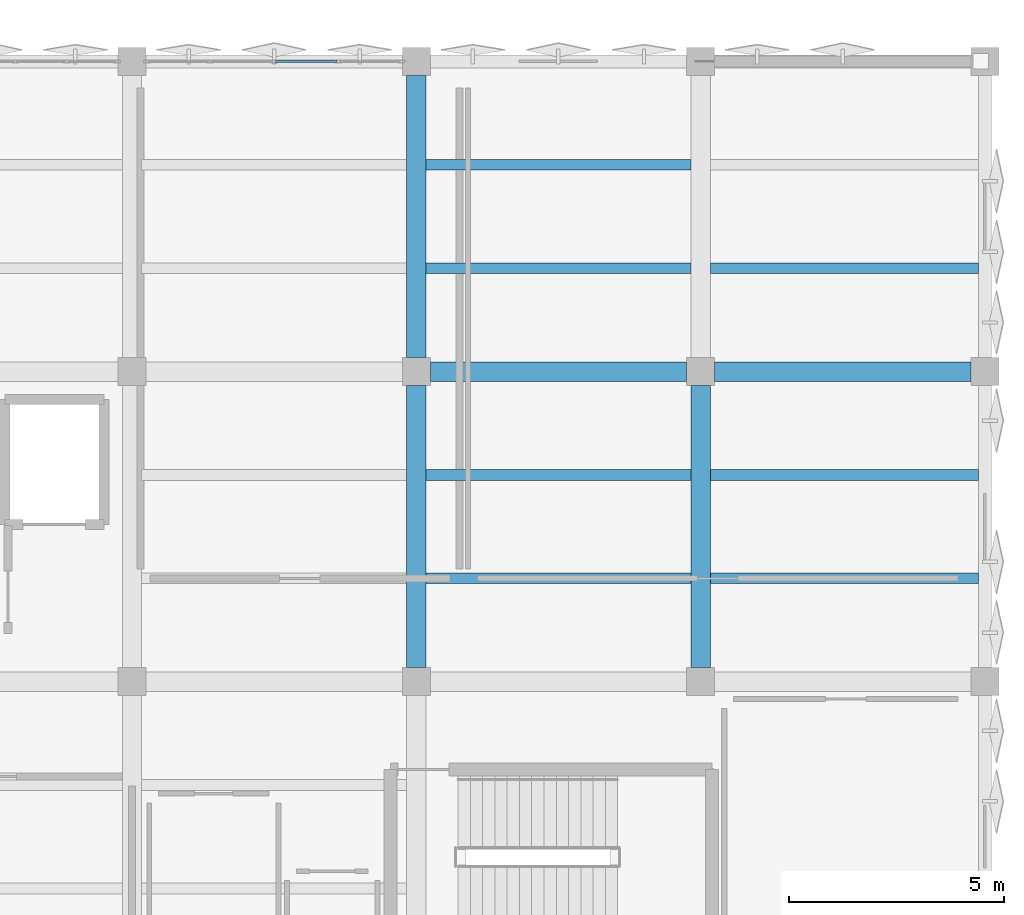
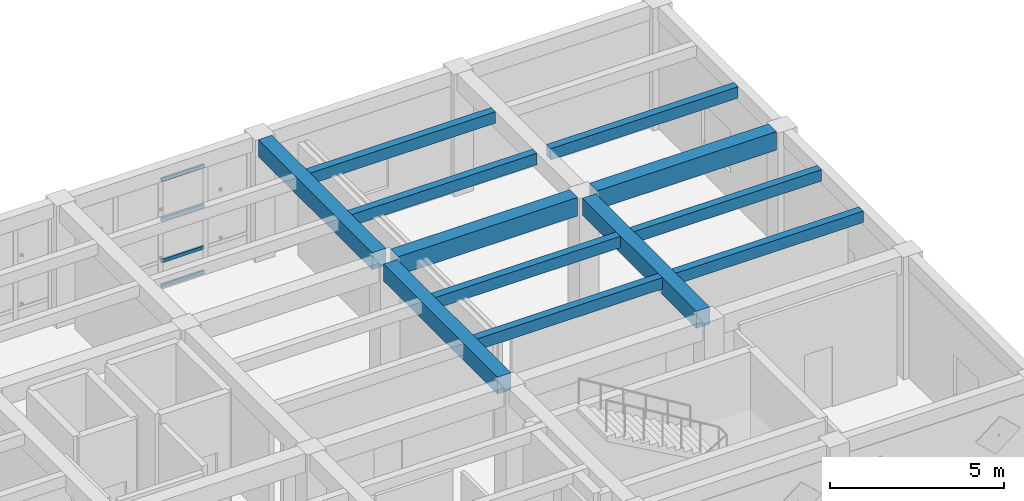
# One storey, part 24 of 48: 12 beams, 4 members, 1 element without a shape of its own.
"""IFC4 building model written with IfcOpenShell, lengths in metres."""

from ifc_helpers import new_model, si_unit, direction, frame, origin, origin_2d, place, context, subcontext, project, spatial, rectangle, hollow_rectangle, extrude, material, layer, layer_set, material_profile, profile_set, type_object, element, aggregate, save


model = new_model("IFC4")

# Units and contexts
model_context = context("Model", 3, precision=1e-05, world=origin(), true_north=direction((0.0, 1.0)))
body_context = subcontext(model_context, "Body", "Model", "MODEL_VIEW")
ifc_project = project(units=[si_unit("LENGTHUNIT", "METRE"), si_unit("AREAUNIT", "SQUARE_METRE"), si_unit("VOLUMEUNIT", "CUBIC_METRE"), si_unit("PLANEANGLEUNIT", "RADIAN"), si_unit("MASSUNIT", "GRAM", prefix="KILO")], contexts=[model_context])

# Site, building, storey
site_placement = place(None, origin())
site = spatial("IfcSite", under=ifc_project, at=site_placement, CompositionType="ELEMENT")
building_placement = place(site_placement, origin())
building = spatial("IfcBuilding", under=site, at=building_placement, Name="Kharisveld Research Institute", CompositionType="ELEMENT")
storey_placement = place(building_placement, frame((0.0, 0.0, 14.10009765625)))
storey = spatial("IfcBuildingStorey", under=building, at=storey_placement, Name="L03", CompositionType="ELEMENT", Elevation=14.10009765625)

# Beams
ifc_material_1 = material(Name="Concrete C40/50", Category="concrete")
ifc_material_profile_1 = material_profile(ifc_material_1, rectangle(XDim=0.449951171875, YDim=0.60009765625, at=origin_2d()))
ifc_profile_set_1 = profile_set([ifc_material_profile_1], Name="Concrete C40/50")
beam_type_1 = type_object("IfcBeamType", Name="BM_RC_450x600", PredefinedType="BEAM", material=ifc_profile_set_1)
beam_1_placement = place(storey_placement, frame((147.60009765625, 46.72509765625, 3.989990234375), z_axis=(0.0, 1.0, 0.0), x_axis=(-1.0, 0.0, 0.0)))
element("IfcBeam", 1, at=beam_1_placement, inside=storey, type_object=beam_type_1, Name="BM:V2:L03:V5_1", PredefinedType="BEAM", context=body_context, shape_type="SweptSolid", body=[
    extrude(rectangle(XDim=0.449951171875, YDim=0.60009765625, at=origin_2d()), origin(), (0.0, 0.0, 1.0), 6.5498046875),
])
beam_2_placement = place(storey_placement, frame((147.60009765625, 53.925048828125, 3.989990234375), z_axis=(0.0, 1.0, 0.0), x_axis=(-1.0, 0.0, 0.0)))
element("IfcBeam", 2, at=beam_2_placement, inside=storey, type_object=beam_type_1, Name="BM:V2:L03:V5_2", PredefinedType="BEAM", context=body_context, shape_type="SweptSolid", body=[
    extrude(rectangle(XDim=0.449951171875, YDim=0.60009765625, at=origin_2d()), origin(), (0.0, 0.0, 1.0), 6.550048828125),
])
beam_3_placement = place(storey_placement, frame((154.199951171875, 46.72509765625, 3.989990234375), z_axis=(0.0, 1.0, 0.0), x_axis=(-1.0, 0.0, 0.0)))
element("IfcBeam", 3, at=beam_3_placement, inside=storey, type_object=beam_type_1, Name="BM:V2:L03:V6_1", PredefinedType="BEAM", context=body_context, shape_type="SweptSolid", body=[
    extrude(rectangle(XDim=0.449951171875, YDim=0.60009765625, at=origin_2d()), origin(), (0.0, 0.0, 1.0), 6.5498046875),
])
ifc_material_2 = material(Name="Concrete C40/50", Category="concrete")
ifc_material_profile_2 = material_profile(ifc_material_2, rectangle(XDim=0.449951171875, YDim=0.64990234375, at=origin_2d()))
ifc_profile_set_2 = profile_set([ifc_material_profile_2], Name="Concrete C40/50")
beam_type_2 = type_object("IfcBeamType", Name="BM_RC_450x650", PredefinedType="BEAM", material=ifc_profile_set_2)
beam_4_placement = place(storey_placement, frame((147.925048828125, 53.60009765625, 3.96484375), z_axis=(1.0, 0.0, 0.0), x_axis=(0.0, 1.0, 0.0)))
element("IfcBeam", 4, at=beam_4_placement, inside=storey, type_object=beam_type_2, Name="BM:V2:L03:U5_2", PredefinedType="BEAM", context=body_context, shape_type="SweptSolid", body=[
    extrude(rectangle(XDim=0.449951171875, YDim=0.64990234375, at=origin_2d()), origin(), (0.0, 0.0, 1.0), 5.949951171875),
])
beam_5_placement = place(storey_placement, frame((154.52490234375, 53.60009765625, 3.96484375), z_axis=(1.0, 0.0, 0.0), x_axis=(0.0, 1.0, 0.0)))
element("IfcBeam", 5, at=beam_5_placement, inside=storey, type_object=beam_type_2, Name="BM:V2:L03:U6_2", PredefinedType="BEAM", context=body_context, shape_type="SweptSolid", body=[
    extrude(rectangle(XDim=0.449951171875, YDim=0.64990234375, at=origin_2d()), origin(), (0.0, 0.0, 1.0), 5.9501953125),
])

# Curtain wall, members
ifc_material_3 = material(Name="Thermally Broken Aluminium Curtain Wall", Category="aluminium")
ifc_layer = layer(ifc_material_3, 0.159912109375)
ifc_layer_set = layer_set([ifc_layer], Name="CW_SYS_02")
curtain_wall_type = type_object("IfcCurtainWallType", Name="CW_SYS_02", PredefinedType="NOTDEFINED", material=ifc_layer_set)
curtain_wall_placement = place(storey_placement, origin())
curtain_wall = element("IfcCurtainWall", 6, at=curtain_wall_placement, inside=storey, type_object=curtain_wall_type, Name="CW:V2:L03:N4", PredefinedType="NOTDEFINED")
ifc_material_4 = material(Name="Anodised Aluminium AW-6063-T6", Category="aluminium")
ifc_material_profile_3 = material_profile(ifc_material_4, hollow_rectangle(XDim=0.06005859375, YDim=0.1201171875, WallThickness=0.00390625, at=origin_2d()))
ifc_profile_set_3 = profile_set([ifc_material_profile_3], Name="Anodised Aluminium AW-6063-T6")
member_type = type_object("IfcMemberType", Name="CW_TRN_120", PredefinedType="USERDEFINED", material=ifc_profile_set_3)
member_1_placement = place(storey_placement, frame((144.33251953125, 60.800048828125, 0.02978515625), z_axis=(1.0, 0.0, 0.0), x_axis=(0.0, 1.0, 0.0)))
member_1 = element("IfcMember", 7, at=member_1_placement, type_object=member_type, Name="CW-02 transom 3.1", ObjectType="TRANSOM", PredefinedType="USERDEFINED", context=body_context, shape_type="SweptSolid", body=[
    extrude(hollow_rectangle(XDim=0.06005859375, YDim=0.1201171875, WallThickness=0.00390625, at=origin_2d()), origin(), (0.0, 0.0, 1.0), 1.425048828125),
])
member_2_placement = place(storey_placement, frame((144.33251953125, 60.800048828125, 0.89990234375), z_axis=(1.0, 0.0, 0.0), x_axis=(0.0, 1.0, 0.0)))
member_2 = element("IfcMember", 8, at=member_2_placement, type_object=member_type, Name="CW-02 transom 3.2", ObjectType="TRANSOM", PredefinedType="USERDEFINED", context=body_context, shape_type="SweptSolid", body=[
    extrude(hollow_rectangle(XDim=0.06005859375, YDim=0.1201171875, WallThickness=0.00390625, at=origin_2d()), origin(), (0.0, 0.0, 1.0), 1.425048828125),
])
member_3_placement = place(storey_placement, frame((144.33251953125, 60.800048828125, 2.349853515625), z_axis=(1.0, 0.0, 0.0), x_axis=(0.0, 1.0, 0.0)))
member_3 = element("IfcMember", 9, at=member_3_placement, type_object=member_type, Name="CW-02 transom 3.3", ObjectType="TRANSOM", PredefinedType="USERDEFINED", context=body_context, shape_type="SweptSolid", body=[
    extrude(hollow_rectangle(XDim=0.06005859375, YDim=0.1201171875, WallThickness=0.00390625, at=origin_2d()), origin(), (0.0, 0.0, 1.0), 1.425048828125),
])
member_4_placement = place(storey_placement, frame((144.33251953125, 60.800048828125, 3.75), z_axis=(1.0, 0.0, 0.0), x_axis=(0.0, 1.0, 0.0)))
member_4 = element("IfcMember", 10, at=member_4_placement, type_object=member_type, Name="CW-02 transom 3.4", ObjectType="TRANSOM", PredefinedType="USERDEFINED", context=body_context, shape_type="SweptSolid", body=[
    extrude(hollow_rectangle(XDim=0.06005859375, YDim=0.1201171875, WallThickness=0.00390625, at=origin_2d()), origin(), (0.0, 0.0, 1.0), 1.425048828125),
])
aggregate(curtain_wall, [member_1, member_2, member_3, member_4])

# Beams
ifc_material_5 = material(Name="Concrete C40/50", Category="concrete")
ifc_material_profile_4 = material_profile(ifc_material_5, rectangle(XDim=0.25, YDim=0.39990234375, at=origin_2d()))
ifc_profile_set_4 = profile_set([ifc_material_profile_4], Name="Concrete C40/50")
beam_type_3 = type_object("IfcBeamType", Name="WB_RC_250x400", PredefinedType="JOIST", material=ifc_profile_set_4)
for number, where, z_axis, x_axis, name in (
    (11, (147.824951171875, 48.800048828125, 4.08984375), (1.0, 0.0, 0.0), (0.0, 1.0, 0.0), "BM:V2:L03:J_5_1_R1"),
    (12, (147.824951171875, 51.199951171875, 4.08984375), (1.0, 0.0, 0.0), (0.0, 1.0, 0.0), "BM:V2:L03:J_5_1_R2"),
    (13, (147.824951171875, 56.0, 4.08984375), (1.0, 0.0, 0.0), (0.0, 1.0, 0.0), "BM:V2:L03:J_5_2_R1"),
    (14, (147.824951171875, 58.39990234375, 4.08984375), (1.0, 0.0, 0.0), (0.0, 1.0, 0.0), "BM:V2:L03:J_5_2_R2"),
):
    element("IfcBeam", number, at=place(storey_placement, frame(where, z_axis=z_axis, x_axis=x_axis)), inside=storey, type_object=beam_type_3, Name=name, PredefinedType="JOIST", context=body_context, shape_type="SweptSolid", body=[
        extrude(rectangle(XDim=0.25, YDim=0.39990234375, at=origin_2d()), origin(), (0.0, 0.0, 1.0), 6.150146484375),
    ])
for number, where, z_axis, x_axis, name in (
    (15, (154.425048828125, 48.800048828125, 4.08984375), (1.0, 0.0, 0.0), (0.0, 1.0, 0.0), "BM:V2:L03:J_6_1_R1"),
    (16, (154.425048828125, 51.199951171875, 4.08984375), (1.0, 0.0, 0.0), (0.0, 1.0, 0.0), "BM:V2:L03:J_6_1_R2"),
    (17, (154.425048828125, 56.0, 4.08984375), (1.0, 0.0, 0.0), (0.0, 1.0, 0.0), "BM:V2:L03:J_6_2_R1"),
):
    element("IfcBeam", number, at=place(storey_placement, frame(where, z_axis=z_axis, x_axis=x_axis)), inside=storey, type_object=beam_type_3, Name=name, PredefinedType="JOIST", context=body_context, shape_type="SweptSolid", body=[
        extrude(rectangle(XDim=0.25, YDim=0.39990234375, at=origin_2d()), origin(), (0.0, 0.0, 1.0), 6.224853515625),
    ])

save(model, "model.ifc")
